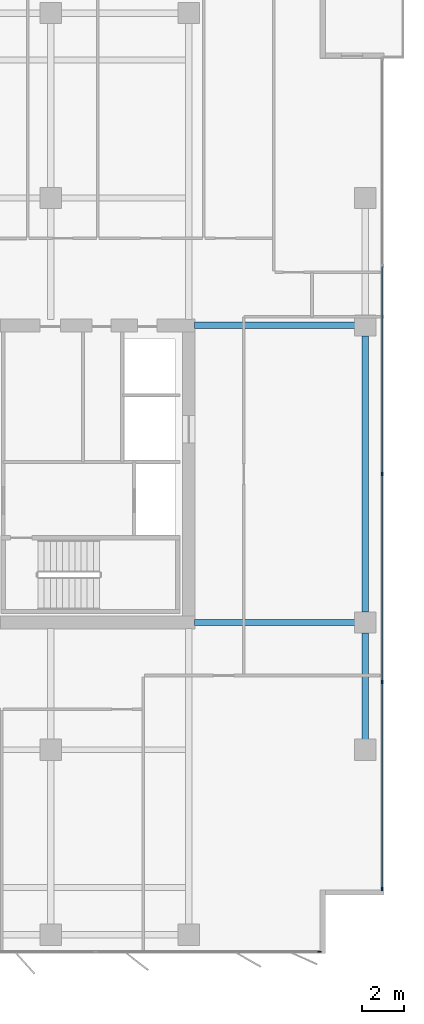
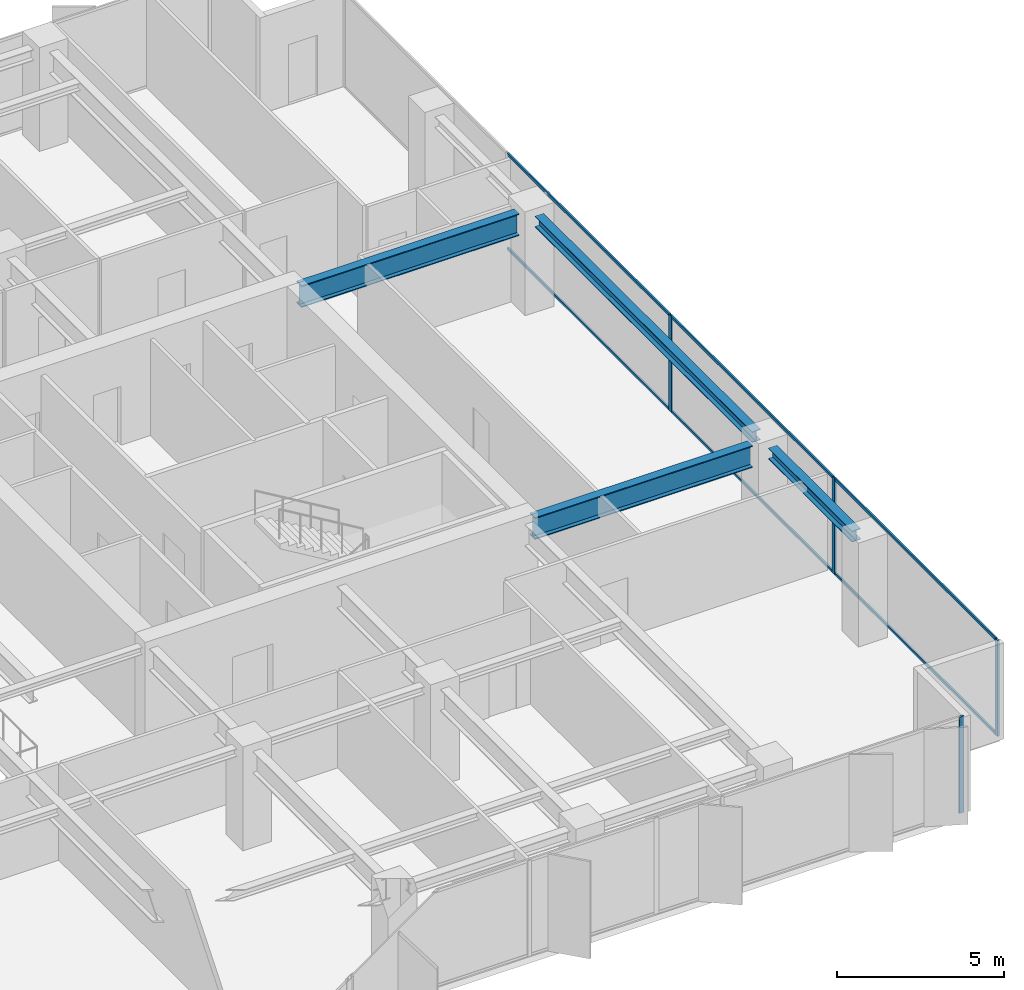
# One storey, part 12 of 22: 10 members, 4 beams, 2 elements without a shape of their own.
"""IFC4 building model written with IfcOpenShell, lengths in metres."""

from ifc_helpers import new_model, si_unit, direction, frame, origin, origin_2d, place, context, subcontext, project, spatial, rectangle, i_section, extrude, material, layer, layer_set, material_profile, profile_set, type_object, element, aggregate, save


model = new_model("IFC4")

# Units and contexts
model_context = context("Model", 3, precision=1e-05, world=origin(), true_north=direction((0.0, 1.0)))
body_context = subcontext(model_context, "Body", "Model", "MODEL_VIEW")
ifc_project = project(units=[si_unit("LENGTHUNIT", "METRE"), si_unit("AREAUNIT", "SQUARE_METRE"), si_unit("VOLUMEUNIT", "CUBIC_METRE"), si_unit("PLANEANGLEUNIT", "RADIAN"), si_unit("MASSUNIT", "GRAM", prefix="KILO")], contexts=[model_context])

# Site, building, storey
site_placement = place(None, origin())
site = spatial("IfcSite", under=ifc_project, at=site_placement, CompositionType="ELEMENT")
building_placement = place(site_placement, origin())
building = spatial("IfcBuilding", under=site, at=building_placement, Name="Putna Gate Headquarters", CompositionType="ELEMENT")
storey_placement = place(building_placement, frame((0.0, 0.0, 193.60009765625)))
storey = spatial("IfcBuildingStorey", under=building, at=storey_placement, Name="L48", CompositionType="ELEMENT", Elevation=193.60009765625)

# Beams
ifc_material_1 = material(Name="Steel S355J2", Category="steel")
ifc_material_profile_1 = material_profile(ifc_material_1, i_section(OverallWidth=0.300048828125, OverallDepth=0.800048828125, WebThickness=0.017578125, FlangeThickness=0.032958984375, at=origin_2d()), Name="Steel S355J2")
ifc_profile_set_1 = profile_set([ifc_material_profile_1], Name="Steel S355J2")
beam_type_1 = type_object("IfcBeamType", Name="BM-GIRD-P-HEB800", PredefinedType="USERDEFINED", material=ifc_profile_set_1)
for number, where, z_axis, x_axis, name in (
    (1, (65.284912109375, 19.0, 3.119873046875), (1.0, 0.0, 0.0), (0.0, 1.0, 0.0), "L48 East Wing Girder Y19"),
    (2, (65.284912109375, 33.0, 3.119873046875), (1.0, 0.0, 0.0), (0.0, 1.0, 0.0), "L48 East Wing Girder Y33"),
):
    element("IfcBeam", number, at=place(storey_placement, frame(where, z_axis=z_axis, x_axis=x_axis)), inside=storey, type_object=beam_type_1, Name=name, ObjectType="GIRDER", PredefinedType="USERDEFINED", context=body_context, shape_type="SweptSolid", body=[
        extrude(i_section(OverallWidth=0.300048828125, OverallDepth=0.800048828125, WebThickness=0.017578125, FlangeThickness=0.032958984375, at=origin_2d()), origin(), (0.0, 0.0, 1.0), 7.547119140625),
    ])
ifc_material_profile_2 = material_profile(ifc_material_1, i_section(OverallWidth=0.300048828125, OverallDepth=0.39990234375, WebThickness=0.013427734375, FlangeThickness=0.02392578125, at=origin_2d()), Name="Steel S355J2")
ifc_profile_set_2 = profile_set([ifc_material_profile_2], Name="Steel S355J2")
beam_type_2 = type_object("IfcBeamType", Name="BM-SPAN-Z3-HEB400", PredefinedType="SPANDREL", material=ifc_profile_set_2)
beam_1_placement = place(storey_placement, frame((73.320068359375, 13.488037109375, 3.31982421875), z_axis=(0.0, 1.0, 0.0), x_axis=(-1.0, 0.0, 0.0)))
element("IfcBeam", 3, at=beam_1_placement, inside=storey, type_object=beam_type_2, Name="L48 E End Spandrel 1", PredefinedType="SPANDREL", context=body_context, shape_type="SweptSolid", body=[
    extrude(i_section(OverallWidth=0.300048828125, OverallDepth=0.39990234375, WebThickness=0.013427734375, FlangeThickness=0.02392578125, at=origin_2d()), origin(), (0.0, 0.0, 1.0), 5.02392578125),
])
beam_2_placement = place(storey_placement, frame((73.320068359375, 19.488037109375, 3.31982421875), z_axis=(0.0, 1.0, 0.0), x_axis=(-1.0, 0.0, 0.0)))
element("IfcBeam", 4, at=beam_2_placement, inside=storey, type_object=beam_type_2, Name="L48 E End Spandrel 2", PredefinedType="SPANDREL", context=body_context, shape_type="SweptSolid", body=[
    extrude(i_section(OverallWidth=0.300048828125, OverallDepth=0.39990234375, WebThickness=0.013427734375, FlangeThickness=0.02392578125, at=origin_2d()), origin(), (0.0, 0.0, 1.0), 13.02392578125),
])

# Curtain wall, member
ifc_material_2 = material(Name="Anodised bronze aluminium curtain wall", Category="aluminium")
ifc_layer = layer(ifc_material_2, 0.159912109375)
ifc_layer_set = layer_set([ifc_layer], Name="Anodised bronze aluminium curtain wall")
curtain_wall_type = type_object("IfcCurtainWallType", Name="CW-SYS-Z3", PredefinedType="USERDEFINED", material=ifc_layer_set)
curtain_wall_1_placement = place(storey_placement, origin())
curtain_wall_1 = element("IfcCurtainWall", 5, at=curtain_wall_1_placement, inside=storey, type_object=curtain_wall_type, Name="L48 South East Curtain Wall", ObjectType="STICK CURTAIN WALL", PredefinedType="USERDEFINED")
ifc_material_3 = material(Name="Anodised bronze aluminium EN AW-6060", Category="aluminium")
ifc_material_profile_3 = material_profile(ifc_material_3, rectangle(XDim=0.06494140625, YDim=0.159912109375, at=origin_2d()), Name="Anodised bronze aluminium EN AW-6060")
ifc_profile_set_3 = profile_set([ifc_material_profile_3], Name="Anodised bronze aluminium EN AW-6060")
member_type_1 = type_object("IfcMemberType", Name="MULL-CWM-3", PredefinedType="MULLION", material=ifc_profile_set_3)
member_1_placement = place(storey_placement, frame((71.16748046875, 3.47998046875, 0.0), z_axis=(0.0, 0.0, 1.0), x_axis=(0.0, 1.0, 0.0)))
member_1 = element("IfcMember", 6, at=member_1_placement, type_object=member_type_1, Name="CWS-3 mullion 3", PredefinedType="MULLION", context=body_context, shape_type="SweptSolid", body=[
    extrude(rectangle(XDim=0.06494140625, YDim=0.159912109375, at=origin_2d()), origin(), (0.0, 0.0, 1.0), 3.52001953125),
])
aggregate(curtain_wall_1, [member_1])

# Curtain wall, members
curtain_wall_2_placement = place(storey_placement, origin())
curtain_wall_2 = element("IfcCurtainWall", 7, at=curtain_wall_2_placement, inside=storey, type_object=curtain_wall_type, Name="L48 East Curtain Wall", ObjectType="STICK CURTAIN WALL", PredefinedType="USERDEFINED")
member_2_placement = place(storey_placement, frame((74.1201171875, 6.4326171875, 0.0), z_axis=(0.0, 0.0, 1.0), x_axis=(-1.0, 0.0, 0.0)))
member_2 = element("IfcMember", 8, at=member_2_placement, type_object=member_type_1, Name="CWS-3 mullion 1", PredefinedType="MULLION", context=body_context, shape_type="SweptSolid", body=[
    extrude(rectangle(XDim=0.06494140625, YDim=0.159912109375, at=origin_2d()), origin(), (0.0, 0.0, 1.0), 3.52001953125),
])
member_3_placement = place(storey_placement, frame((74.1201171875, 16.199951171875, 0.0), z_axis=(0.0, 0.0, 1.0), x_axis=(-1.0, 0.0, 0.0)))
member_3 = element("IfcMember", 9, at=member_3_placement, type_object=member_type_1, Name="CWS-3 mullion 2", PredefinedType="MULLION", context=body_context, shape_type="SweptSolid", body=[
    extrude(rectangle(XDim=0.06494140625, YDim=0.159912109375, at=origin_2d()), origin(), (0.0, 0.0, 1.0), 3.52001953125),
])
member_4_placement = place(storey_placement, frame((74.1201171875, 26.0, 0.0), z_axis=(0.0, 0.0, 1.0), x_axis=(-1.0, 0.0, 0.0)))
member_4 = element("IfcMember", 10, at=member_4_placement, type_object=member_type_1, Name="CWS-3 mullion 3", PredefinedType="MULLION", context=body_context, shape_type="SweptSolid", body=[
    extrude(rectangle(XDim=0.06494140625, YDim=0.159912109375, at=origin_2d()), origin(), (0.0, 0.0, 1.0), 3.52001953125),
])
ifc_material_profile_4 = material_profile(ifc_material_3, rectangle(XDim=0.06005859375, YDim=0.10009765625, at=origin_2d()), Name="Anodised bronze aluminium EN AW-6060")
ifc_profile_set_4 = profile_set([ifc_material_profile_4], Name="Anodised bronze aluminium EN AW-6060")
member_type_2 = type_object("IfcMemberType", Name="TRAN-CWT-3", PredefinedType="USERDEFINED", material=ifc_profile_set_4)
member_5_placement = place(storey_placement, frame((74.1201171875, 6.465087890625, 0.02978515625), z_axis=(0.0, 1.0, 0.0), x_axis=(-1.0, 0.0, 0.0)))
member_5 = element("IfcMember", 11, at=member_5_placement, type_object=member_type_2, Name="CWS-3 transom 1.1", ObjectType="TRANSOM", PredefinedType="USERDEFINED", context=body_context, shape_type="SweptSolid", body=[
    extrude(rectangle(XDim=0.06005859375, YDim=0.10009765625, at=origin_2d()), origin(), (0.0, 0.0, 1.0), 9.702392578125),
])
member_6_placement = place(storey_placement, frame((74.1201171875, 6.465087890625, 3.489990234375), z_axis=(0.0, 1.0, 0.0), x_axis=(-1.0, 0.0, 0.0)))
member_6 = element("IfcMember", 12, at=member_6_placement, type_object=member_type_2, Name="CWS-3 transom 1.2", ObjectType="TRANSOM", PredefinedType="USERDEFINED", context=body_context, shape_type="SweptSolid", body=[
    extrude(rectangle(XDim=0.06005859375, YDim=0.10009765625, at=origin_2d()), origin(), (0.0, 0.0, 1.0), 9.702392578125),
])
member_7_placement = place(storey_placement, frame((74.1201171875, 16.232421875, 0.02978515625), z_axis=(0.0, 1.0, 0.0), x_axis=(-1.0, 0.0, 0.0)))
member_7 = element("IfcMember", 13, at=member_7_placement, type_object=member_type_2, Name="CWS-3 transom 2.1", ObjectType="TRANSOM", PredefinedType="USERDEFINED", context=body_context, shape_type="SweptSolid", body=[
    extrude(rectangle(XDim=0.06005859375, YDim=0.10009765625, at=origin_2d()), origin(), (0.0, 0.0, 1.0), 9.735107421875),
])
member_8_placement = place(storey_placement, frame((74.1201171875, 16.232421875, 3.489990234375), z_axis=(0.0, 1.0, 0.0), x_axis=(-1.0, 0.0, 0.0)))
member_8 = element("IfcMember", 14, at=member_8_placement, type_object=member_type_2, Name="CWS-3 transom 2.2", ObjectType="TRANSOM", PredefinedType="USERDEFINED", context=body_context, shape_type="SweptSolid", body=[
    extrude(rectangle(XDim=0.06005859375, YDim=0.10009765625, at=origin_2d()), origin(), (0.0, 0.0, 1.0), 9.735107421875),
])
member_9_placement = place(storey_placement, frame((74.1201171875, 26.032470703125, 0.02978515625), z_axis=(0.0, 1.0, 0.0), x_axis=(-1.0, 0.0, 0.0)))
member_9 = element("IfcMember", 15, at=member_9_placement, type_object=member_type_2, Name="CWS-3 transom 3.1", ObjectType="TRANSOM", PredefinedType="USERDEFINED", context=body_context, shape_type="SweptSolid", body=[
    extrude(rectangle(XDim=0.06005859375, YDim=0.10009765625, at=origin_2d()), origin(), (0.0, 0.0, 1.0), 9.735107421875),
])
member_10_placement = place(storey_placement, frame((74.1201171875, 26.032470703125, 3.489990234375), z_axis=(0.0, 1.0, 0.0), x_axis=(-1.0, 0.0, 0.0)))
member_10 = element("IfcMember", 16, at=member_10_placement, type_object=member_type_2, Name="CWS-3 transom 3.2", ObjectType="TRANSOM", PredefinedType="USERDEFINED", context=body_context, shape_type="SweptSolid", body=[
    extrude(rectangle(XDim=0.06005859375, YDim=0.10009765625, at=origin_2d()), origin(), (0.0, 0.0, 1.0), 9.735107421875),
])
aggregate(curtain_wall_2, [member_2, member_3, member_4, member_5, member_6, member_7, member_8, member_9, member_10])

save(model, "model.ifc")
